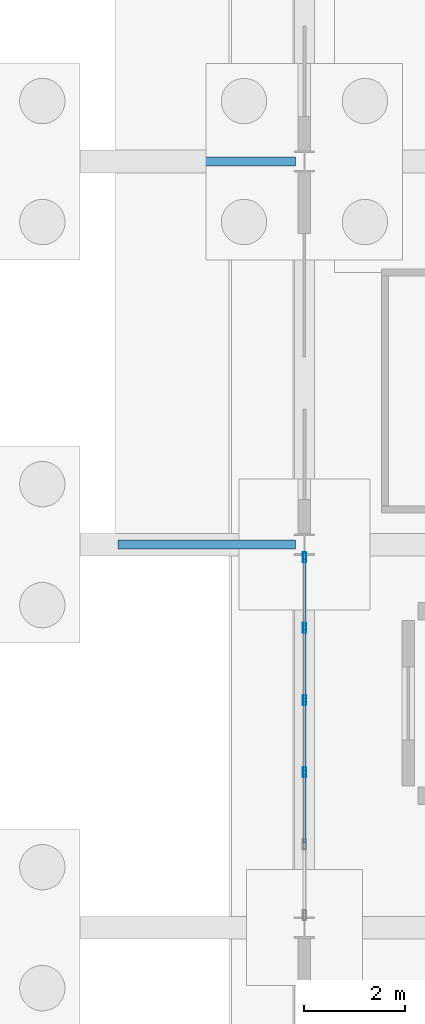
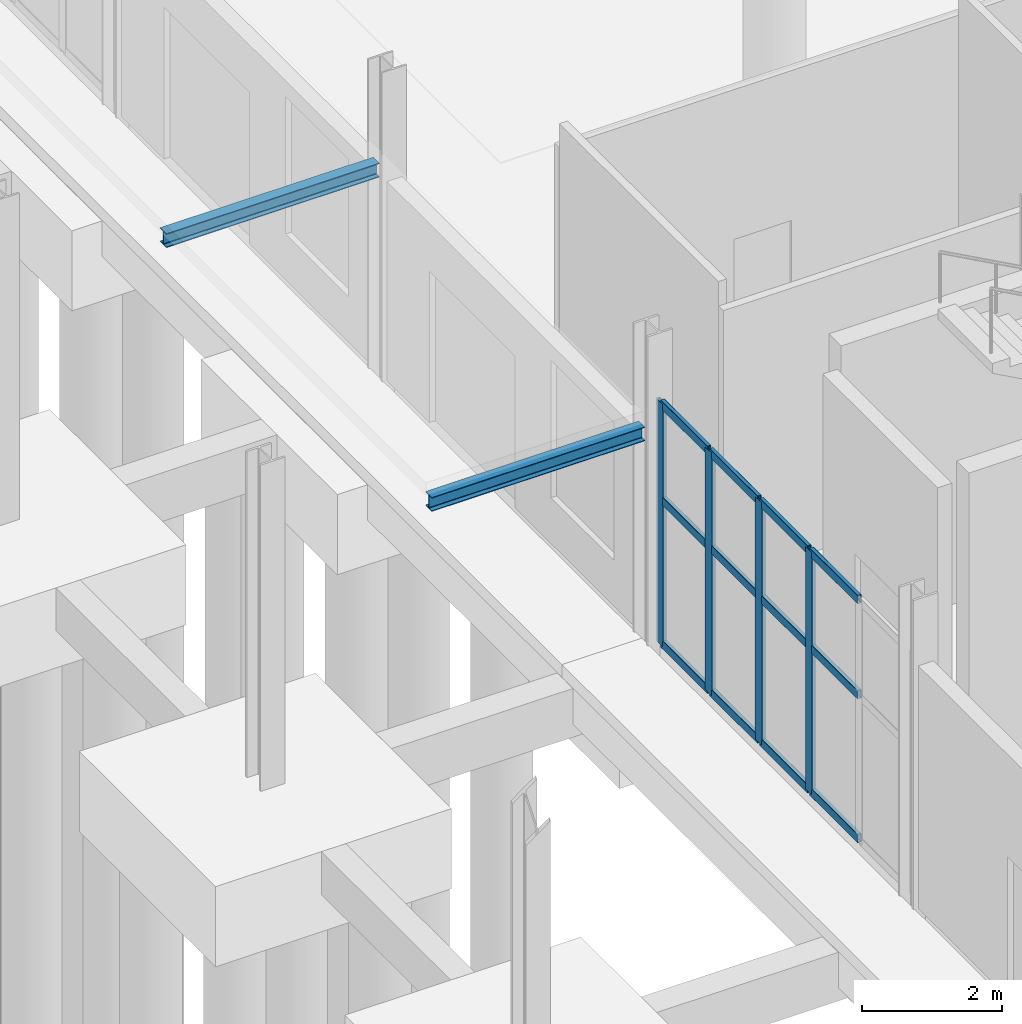
# One storey, part 32 of 95: 16 members, 2 beams, 1 element without a shape of its own.
"""IFC4 building model written with IfcOpenShell, lengths in metres."""

from ifc_helpers import new_model, si_unit, direction, frame, origin, origin_2d, place, context, subcontext, project, spatial, hollow_rectangle, i_section, extrude, material, material_profile, profile_set, type_object, element, aggregate, save


model = new_model("IFC4")

# Units and contexts
model_context = context("Model", 3, precision=1e-05, world=origin(), true_north=direction((0.0, 1.0)))
body_context = subcontext(model_context, "Body", "Model", "MODEL_VIEW")
ifc_project = project(units=[si_unit("LENGTHUNIT", "METRE"), si_unit("AREAUNIT", "SQUARE_METRE"), si_unit("VOLUMEUNIT", "CUBIC_METRE"), si_unit("PLANEANGLEUNIT", "RADIAN"), si_unit("MASSUNIT", "GRAM", prefix="KILO")], contexts=[model_context])

# Site, building, storey
site_placement = place(None, origin())
site = spatial("IfcSite", under=ifc_project, at=site_placement, CompositionType="ELEMENT")
building_placement = place(site_placement, origin())
building = spatial("IfcBuilding", under=site, at=building_placement, Name="Shengluoqiao Park Theatre", CompositionType="ELEMENT")
storey_placement = place(building_placement, origin())
storey = spatial("IfcBuildingStorey", under=building, at=storey_placement, Name="L00", CompositionType="ELEMENT", Elevation=0.0)

# Curtain wall, members
ifc_material_1 = material(Name="Aluminium 6063-T6", Category="aluminium")
curtain_wall_type = type_object("IfcCurtainWallType", Name="ENV-CW-STUDIO", PredefinedType="NOTDEFINED", material=ifc_material_1)
curtain_wall_placement = place(storey_placement, origin())
curtain_wall = element("IfcCurtainWall", 1, at=curtain_wall_placement, inside=storey, type_object=curtain_wall_type, Name="L00 Curtain Wall CW-L00-0010", PredefinedType="NOTDEFINED")
ifc_material_profile_1 = material_profile(ifc_material_1, hollow_rectangle(XDim=0.06494140625, YDim=0.199951171875, WallThickness=0.0048828125, InnerFilletRadius=0.0048828125, OuterFilletRadius=0.010009765625, at=origin_2d()), Name="ALU MULLION 200x65x5")
ifc_profile_set_1 = profile_set([ifc_material_profile_1], Name="Aluminium 6063-T6")
member_type_1 = type_object("IfcMemberType", Name="ENV-MUL-200", PredefinedType="MULLION", material=ifc_profile_set_1)
member_1_placement = place(storey_placement, frame((12.800048828125, 48.68359375, 0.0), z_axis=(0.0, 0.0, 1.0), x_axis=(-1.0, 0.0, 0.0)))
member_1 = element("IfcMember", 2, at=member_1_placement, type_object=member_type_1, Name="CW-02 mullion 3", PredefinedType="MULLION", context=body_context, shape_type="SweptSolid", body=[
    extrude(hollow_rectangle(XDim=0.06494140625, YDim=0.199951171875, WallThickness=0.0048828125, InnerFilletRadius=0.0048828125, OuterFilletRadius=0.010009765625, at=origin_2d()), origin(), (0.0, 0.0, 1.0), 4.238037109375),
])
member_2_placement = place(storey_placement, frame((12.800048828125, 50.116455078125, 0.0), z_axis=(0.0, 0.0, 1.0), x_axis=(-1.0, 0.0, 0.0)))
member_2 = element("IfcMember", 3, at=member_2_placement, type_object=member_type_1, Name="CW-02 mullion 4", PredefinedType="MULLION", context=body_context, shape_type="SweptSolid", body=[
    extrude(hollow_rectangle(XDim=0.06494140625, YDim=0.199951171875, WallThickness=0.0048828125, InnerFilletRadius=0.0048828125, OuterFilletRadius=0.010009765625, at=origin_2d()), origin(), (0.0, 0.0, 1.0), 4.238037109375),
])
member_3_placement = place(storey_placement, frame((12.800048828125, 51.54931640625, 0.0), z_axis=(0.0, 0.0, 1.0), x_axis=(-1.0, 0.0, 0.0)))
member_3 = element("IfcMember", 4, at=member_3_placement, type_object=member_type_1, Name="CW-02 mullion 5", PredefinedType="MULLION", context=body_context, shape_type="SweptSolid", body=[
    extrude(hollow_rectangle(XDim=0.06494140625, YDim=0.199951171875, WallThickness=0.0048828125, InnerFilletRadius=0.0048828125, OuterFilletRadius=0.010009765625, at=origin_2d()), origin(), (0.0, 0.0, 1.0), 4.238037109375),
])
member_4_placement = place(storey_placement, frame((12.800048828125, 52.949462890625, 0.0), z_axis=(0.0, 0.0, 1.0), x_axis=(-1.0, 0.0, 0.0)))
member_4 = element("IfcMember", 5, at=member_4_placement, type_object=member_type_1, Name="CW-02 mullion 6", PredefinedType="MULLION", context=body_context, shape_type="SweptSolid", body=[
    extrude(hollow_rectangle(XDim=0.06494140625, YDim=0.199951171875, WallThickness=0.0048828125, InnerFilletRadius=0.0048828125, OuterFilletRadius=0.010009765625, at=origin_2d()), origin(), (0.0, 0.0, 1.0), 4.238037109375),
])
ifc_material_profile_2 = material_profile(ifc_material_1, hollow_rectangle(XDim=0.06494140625, YDim=0.14990234375, WallThickness=0.00390625, InnerFilletRadius=0.00390625, OuterFilletRadius=0.008056640625, at=origin_2d()), Name="ALU TRANSOM 150x65x4")
ifc_profile_set_2 = profile_set([ifc_material_profile_2], Name="Aluminium 6063-T6")
member_type_2 = type_object("IfcMemberType", Name="ENV-TRN-150", PredefinedType="USERDEFINED", material=ifc_profile_set_2)
member_5_placement = place(storey_placement, frame((12.800048828125, 47.283203125, 0.032470703125), z_axis=(0.0, 1.0, 0.0), x_axis=(-1.0, 0.0, 0.0)))
member_5 = element("IfcMember", 6, at=member_5_placement, type_object=member_type_2, Name="CW-02 transom 2.1", ObjectType="TRANSOM", PredefinedType="USERDEFINED", context=body_context, shape_type="SweptSolid", body=[
    extrude(hollow_rectangle(XDim=0.06494140625, YDim=0.14990234375, WallThickness=0.00390625, InnerFilletRadius=0.00390625, OuterFilletRadius=0.008056640625, at=origin_2d()), origin(), (0.0, 0.0, 1.0), 1.367919921875),
])
member_6_placement = place(storey_placement, frame((12.800048828125, 47.283203125, 2.54296875), z_axis=(0.0, 1.0, 0.0), x_axis=(-1.0, 0.0, 0.0)))
member_6 = element("IfcMember", 7, at=member_6_placement, type_object=member_type_2, Name="CW-02 transom 2.2", ObjectType="TRANSOM", PredefinedType="USERDEFINED", context=body_context, shape_type="SweptSolid", body=[
    extrude(hollow_rectangle(XDim=0.06494140625, YDim=0.14990234375, WallThickness=0.00390625, InnerFilletRadius=0.00390625, OuterFilletRadius=0.008056640625, at=origin_2d()), origin(), (0.0, 0.0, 1.0), 1.367919921875),
])
member_7_placement = place(storey_placement, frame((12.800048828125, 47.283203125, 4.20556640625), z_axis=(0.0, 1.0, 0.0), x_axis=(-1.0, 0.0, 0.0)))
member_7 = element("IfcMember", 8, at=member_7_placement, type_object=member_type_2, Name="CW-02 transom 2.3", ObjectType="TRANSOM", PredefinedType="USERDEFINED", context=body_context, shape_type="SweptSolid", body=[
    extrude(hollow_rectangle(XDim=0.06494140625, YDim=0.14990234375, WallThickness=0.00390625, InnerFilletRadius=0.00390625, OuterFilletRadius=0.008056640625, at=origin_2d()), origin(), (0.0, 0.0, 1.0), 1.367919921875),
])
member_8_placement = place(storey_placement, frame((12.800048828125, 48.716064453125, 0.032470703125), z_axis=(0.0, 1.0, 0.0), x_axis=(-1.0, 0.0, 0.0)))
member_8 = element("IfcMember", 9, at=member_8_placement, type_object=member_type_2, Name="CW-02 transom 3.1", ObjectType="TRANSOM", PredefinedType="USERDEFINED", context=body_context, shape_type="SweptSolid", body=[
    extrude(hollow_rectangle(XDim=0.06494140625, YDim=0.14990234375, WallThickness=0.00390625, InnerFilletRadius=0.00390625, OuterFilletRadius=0.008056640625, at=origin_2d()), origin(), (0.0, 0.0, 1.0), 1.367919921875),
])
member_9_placement = place(storey_placement, frame((12.800048828125, 48.716064453125, 2.54296875), z_axis=(0.0, 1.0, 0.0), x_axis=(-1.0, 0.0, 0.0)))
member_9 = element("IfcMember", 10, at=member_9_placement, type_object=member_type_2, Name="CW-02 transom 3.2", ObjectType="TRANSOM", PredefinedType="USERDEFINED", context=body_context, shape_type="SweptSolid", body=[
    extrude(hollow_rectangle(XDim=0.06494140625, YDim=0.14990234375, WallThickness=0.00390625, InnerFilletRadius=0.00390625, OuterFilletRadius=0.008056640625, at=origin_2d()), origin(), (0.0, 0.0, 1.0), 1.367919921875),
])
member_10_placement = place(storey_placement, frame((12.800048828125, 48.716064453125, 4.20556640625), z_axis=(0.0, 1.0, 0.0), x_axis=(-1.0, 0.0, 0.0)))
member_10 = element("IfcMember", 11, at=member_10_placement, type_object=member_type_2, Name="CW-02 transom 3.3", ObjectType="TRANSOM", PredefinedType="USERDEFINED", context=body_context, shape_type="SweptSolid", body=[
    extrude(hollow_rectangle(XDim=0.06494140625, YDim=0.14990234375, WallThickness=0.00390625, InnerFilletRadius=0.00390625, OuterFilletRadius=0.008056640625, at=origin_2d()), origin(), (0.0, 0.0, 1.0), 1.367919921875),
])
member_11_placement = place(storey_placement, frame((12.800048828125, 50.14892578125, 0.032470703125), z_axis=(0.0, 1.0, 0.0), x_axis=(-1.0, 0.0, 0.0)))
member_11 = element("IfcMember", 12, at=member_11_placement, type_object=member_type_2, Name="CW-02 transom 4.1", ObjectType="TRANSOM", PredefinedType="USERDEFINED", context=body_context, shape_type="SweptSolid", body=[
    extrude(hollow_rectangle(XDim=0.06494140625, YDim=0.14990234375, WallThickness=0.00390625, InnerFilletRadius=0.00390625, OuterFilletRadius=0.008056640625, at=origin_2d()), origin(), (0.0, 0.0, 1.0), 1.36767578125),
])
member_12_placement = place(storey_placement, frame((12.800048828125, 50.14892578125, 2.54296875), z_axis=(0.0, 1.0, 0.0), x_axis=(-1.0, 0.0, 0.0)))
member_12 = element("IfcMember", 13, at=member_12_placement, type_object=member_type_2, Name="CW-02 transom 4.2", ObjectType="TRANSOM", PredefinedType="USERDEFINED", context=body_context, shape_type="SweptSolid", body=[
    extrude(hollow_rectangle(XDim=0.06494140625, YDim=0.14990234375, WallThickness=0.00390625, InnerFilletRadius=0.00390625, OuterFilletRadius=0.008056640625, at=origin_2d()), origin(), (0.0, 0.0, 1.0), 1.36767578125),
])
member_13_placement = place(storey_placement, frame((12.800048828125, 50.14892578125, 4.20556640625), z_axis=(0.0, 1.0, 0.0), x_axis=(-1.0, 0.0, 0.0)))
member_13 = element("IfcMember", 14, at=member_13_placement, type_object=member_type_2, Name="CW-02 transom 4.3", ObjectType="TRANSOM", PredefinedType="USERDEFINED", context=body_context, shape_type="SweptSolid", body=[
    extrude(hollow_rectangle(XDim=0.06494140625, YDim=0.14990234375, WallThickness=0.00390625, InnerFilletRadius=0.00390625, OuterFilletRadius=0.008056640625, at=origin_2d()), origin(), (0.0, 0.0, 1.0), 1.36767578125),
])
member_14_placement = place(storey_placement, frame((12.800048828125, 51.581787109375, 0.032470703125), z_axis=(0.0, 1.0, 0.0), x_axis=(-1.0, 0.0, 0.0)))
member_14 = element("IfcMember", 15, at=member_14_placement, type_object=member_type_2, Name="CW-02 transom 5.1", ObjectType="TRANSOM", PredefinedType="USERDEFINED", context=body_context, shape_type="SweptSolid", body=[
    extrude(hollow_rectangle(XDim=0.06494140625, YDim=0.14990234375, WallThickness=0.00390625, InnerFilletRadius=0.00390625, OuterFilletRadius=0.008056640625, at=origin_2d()), origin(), (0.0, 0.0, 1.0), 1.335205078125),
])
member_15_placement = place(storey_placement, frame((12.800048828125, 51.581787109375, 2.54296875), z_axis=(0.0, 1.0, 0.0), x_axis=(-1.0, 0.0, 0.0)))
member_15 = element("IfcMember", 16, at=member_15_placement, type_object=member_type_2, Name="CW-02 transom 5.2", ObjectType="TRANSOM", PredefinedType="USERDEFINED", context=body_context, shape_type="SweptSolid", body=[
    extrude(hollow_rectangle(XDim=0.06494140625, YDim=0.14990234375, WallThickness=0.00390625, InnerFilletRadius=0.00390625, OuterFilletRadius=0.008056640625, at=origin_2d()), origin(), (0.0, 0.0, 1.0), 1.335205078125),
])
member_16_placement = place(storey_placement, frame((12.800048828125, 51.581787109375, 4.20556640625), z_axis=(0.0, 1.0, 0.0), x_axis=(-1.0, 0.0, 0.0)))
member_16 = element("IfcMember", 17, at=member_16_placement, type_object=member_type_2, Name="CW-02 transom 5.3", ObjectType="TRANSOM", PredefinedType="USERDEFINED", context=body_context, shape_type="SweptSolid", body=[
    extrude(hollow_rectangle(XDim=0.06494140625, YDim=0.14990234375, WallThickness=0.00390625, InnerFilletRadius=0.00390625, OuterFilletRadius=0.008056640625, at=origin_2d()), origin(), (0.0, 0.0, 1.0), 1.335205078125),
])
aggregate(curtain_wall, [member_1, member_2, member_3, member_4, member_5, member_6, member_7, member_8, member_9, member_10, member_11, member_12, member_13, member_14, member_15, member_16])

# Beams
ifc_material_2 = material(Name="Steel Q355", Category="steel")
ifc_material_profile_3 = material_profile(ifc_material_2, i_section(OverallWidth=0.175048828125, OverallDepth=0.243896484375, WebThickness=0.007080078125, FlangeThickness=0.010986328125, FilletRadius=0.012939453125, at=origin_2d()), Name="HM 244x175x7x11")
ifc_profile_set_3 = profile_set([ifc_material_profile_3], Name="Steel Q355")
beam_type = type_object("IfcBeamType", Name="STR-BM-G-HM244", PredefinedType="BEAM", material=ifc_profile_set_3)
for number, where, z_axis, x_axis, name in (
    (18, (9.10009765625, 53.199951171875, 3.6201171875), (1.0, 0.0, 0.0), (0.0, 1.0, 0.0), "Entrance Canopy Girder 01"),
    (19, (9.10009765625, 60.800048828125, 3.6201171875), (1.0, 0.0, 0.0), (0.0, 1.0, 0.0), "Entrance Canopy Girder 02"),
):
    element("IfcBeam", number, at=place(storey_placement, frame(where, z_axis=z_axis, x_axis=x_axis)), inside=storey, type_object=beam_type, Name=name, PredefinedType="BEAM", context=body_context, shape_type="SweptSolid", body=[
        extrude(i_section(OverallWidth=0.175048828125, OverallDepth=0.243896484375, WebThickness=0.007080078125, FlangeThickness=0.010986328125, FilletRadius=0.012939453125, at=origin_2d()), origin(), (0.0, 0.0, 1.0), 3.52001953125),
    ])

save(model, "model.ifc")
